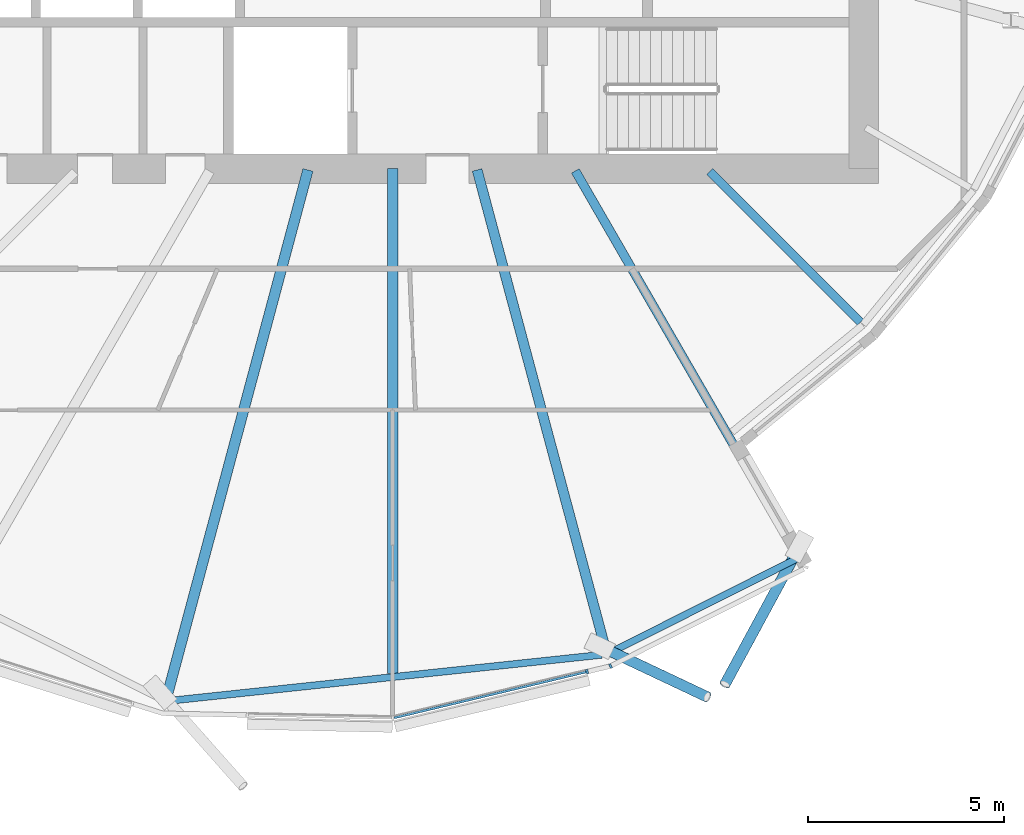
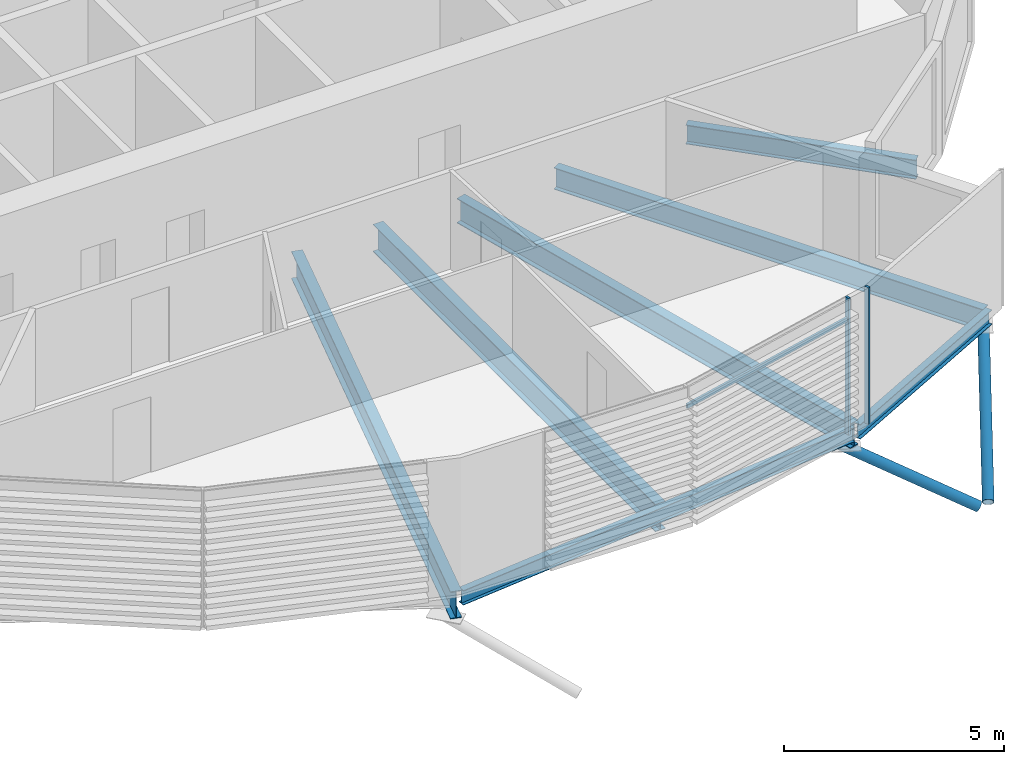
# One storey, part 13 of 39: 7 beams, 5 members, 1 element without a shape of its own.
"""IFC4 building model written with IfcOpenShell, lengths in metres."""

import ifcopenshell
import ifcopenshell.guid

model = None  # the IFC model being written
_history = None  # IfcOwnerHistory: only IFC2X3 demands one
_inside = {}  # id of a spatial element -> (the spatial element, [elements in it])
_under = {}  # id of a project, library or spatial element -> (it, [spatial elements below it])
_declared = {}  # id of a project -> (the project, [libraries it declares])
_typed = {}  # id of a type object -> (the type object, [elements of that type])
_made_of = {}  # id of a material, layer set ... -> (it, [elements and type objects made of it])


def new_model(schema):
    """Start an empty IFC model of exactly this schema.

    Asked for "IFC4X3", IfcOpenShell would pick the latest addendum, in which some entities
    have other attributes; the version numbers below select the first issue.
    IFC2X3 requires an IfcOwnerHistory on every rooted entity: one is made here for all.
    """
    global model, _history
    if schema == "IFC4X3":
        model = ifcopenshell.file(schema_version=(4, 3, 0, 0))
    else:
        model = ifcopenshell.file(schema=schema)
    _inside.clear()
    _under.clear()
    _declared.clear()
    _typed.clear()
    _made_of.clear()
    _history = None
    if model.schema == "IFC2X3":
        org = make("IfcOrganization", Name="unknown")
        user = make(
            "IfcPersonAndOrganization",
            ThePerson=make("IfcPerson", FamilyName="unknown"),
            TheOrganization=org,
        )
        app = make(
            "IfcApplication",
            ApplicationDeveloper=org,
            Version="unknown",
            ApplicationFullName="unknown",
            ApplicationIdentifier="unknown",
        )
        _history = make(
            "IfcOwnerHistory",
            OwningUser=user,
            OwningApplication=app,
            ChangeAction="ADDED",
            CreationDate=0,
        )
    return model


def make(cls, **values):
    """One entity of the class cls with the attributes given. An attribute that is None is left unset."""
    return model.create_entity(
        cls, **{name: value for name, value in values.items() if value is not None}
    )


def rooted(cls, **values):
    """An entity with a GlobalId (a new one), such as an element, a storey or a relation."""
    return make(cls, GlobalId=ifcopenshell.guid.new(), OwnerHistory=_history, **values)


def si_unit(unit_type, name, prefix=None):
    """IfcSIUnit, for example si_unit("LENGTHUNIT", "METRE", prefix="MILLI")."""
    return make("IfcSIUnit", UnitType=unit_type, Prefix=prefix, Name=name)


def assignment(units):
    """IfcUnitAssignment: the units of a project."""
    return None if units is None else make("IfcUnitAssignment", Units=units)


def point(xyz):
    """IfcCartesianPoint."""
    return None if xyz is None else make("IfcCartesianPoint", Coordinates=xyz)


def direction(xyz):
    """IfcDirection."""
    return None if xyz is None else make("IfcDirection", DirectionRatios=xyz)


def frame(location, z_axis=None, x_axis=None):
    """IfcAxis2Placement3D, a coordinate frame: its origin and axes. An axis left out is left unset."""
    return make(
        "IfcAxis2Placement3D",
        Location=point(location),
        Axis=direction(z_axis),
        RefDirection=direction(x_axis),
    )


def frame_2d(location, x_axis=None):
    """IfcAxis2Placement2D, a coordinate frame in the plane: its origin and x axis."""
    return make(
        "IfcAxis2Placement2D", Location=point(location), RefDirection=direction(x_axis)
    )


def origin():
    """The frame at (0, 0, 0) with its axes left unset."""
    return frame((0.0, 0.0, 0.0))


def origin_2d():
    """The frame at (0, 0) in the plane with its x axis left unset."""
    return frame_2d((0.0, 0.0))


def place(relative_to, where):
    """IfcLocalPlacement: puts the frame where relative to a parent placement (None: the world)."""
    return make(
        "IfcLocalPlacement", PlacementRelTo=relative_to, RelativePlacement=where
    )


def context(
    kind, dimensions, precision=None, world=None, true_north=None, identifier=None
):
    """IfcGeometricRepresentationContext, for example the 3D "Model" context."""
    return make(
        "IfcGeometricRepresentationContext",
        ContextIdentifier=identifier,
        ContextType=kind,
        CoordinateSpaceDimension=dimensions,
        Precision=precision,
        WorldCoordinateSystem=world,
        TrueNorth=true_north,
    )


def subcontext(parent, identifier, kind, view, scale=None):
    """IfcGeometricRepresentationSubContext, for example "Body" below "Model"."""
    return make(
        "IfcGeometricRepresentationSubContext",
        ContextIdentifier=identifier,
        ContextType=kind,
        ParentContext=parent,
        TargetScale=scale,
        TargetView=view,
    )


def project(units=None, contexts=None):
    """IfcProject with its units and contexts."""
    return rooted(
        "IfcProject",
        Name="project",
        RepresentationContexts=contexts,
        UnitsInContext=assignment(units),
    )


def spatial(cls, under=None, at=None, **own):
    """A site, building, storey or space (cls), placed at a placement, below another one or the project."""
    s = rooted(cls, ObjectPlacement=at, **own)
    if under is not None:
        _under.setdefault(under.id(), (under, []))[1].append(s)
    return s


def profile(cls, at=None, kind="AREA", **sizes):
    """A parametric profile (cls). Its sizes go by their IFC names, for example OverallWidth=200.0."""
    return make(cls, ProfileType=kind, Position=at, **sizes)


def rectangle(**sizes):
    """IfcRectangleProfileDef."""
    return profile("IfcRectangleProfileDef", **sizes)


def hollow_circle(**sizes):
    """IfcCircleHollowProfileDef."""
    return profile("IfcCircleHollowProfileDef", **sizes)


def i_section(**sizes):
    """IfcIShapeProfileDef."""
    return profile("IfcIShapeProfileDef", **sizes)


def extrude(swept, where, along, depth):
    """IfcExtrudedAreaSolid: the profile swept, set in the frame where, extruded along a direction by depth."""
    return make(
        "IfcExtrudedAreaSolid",
        SweptArea=swept,
        Position=where,
        ExtrudedDirection=direction(along),
        Depth=depth,
    )


def clip(a, b, op="DIFFERENCE"):
    """IfcBooleanClippingResult: the solid a cut by the half space b."""
    return make(
        "IfcBooleanClippingResult", Operator=op, FirstOperand=a, SecondOperand=b
    )


def halfspace(plane, agree):
    """IfcHalfSpaceSolid: all space on one side of the plane z = 0 of the frame plane."""
    return make(
        "IfcHalfSpaceSolid",
        BaseSurface=make("IfcPlane", Position=plane),
        AgreementFlag=agree,
    )


def shape(context_of_items, identifier, shape_type, items):
    """IfcShapeRepresentation: the items that make up one representation, for example the "Body"."""
    return make(
        "IfcShapeRepresentation",
        ContextOfItems=context_of_items,
        RepresentationIdentifier=identifier,
        RepresentationType=shape_type,
        Items=items,
    )


def material(Name=None, Category=None):
    """IfcMaterial."""
    return make("IfcMaterial", Name=Name, Category=Category)


def material_profile(
    of_material, cross_section, Name=None, Category=None, Priority=None
):
    """IfcMaterialProfile: a cross section and its material."""
    return make(
        "IfcMaterialProfile",
        Name=Name,
        Material=of_material,
        Profile=cross_section,
        Priority=Priority,
        Category=Category,
    )


def profile_set(profiles, Name=None, composite=None):
    """IfcMaterialProfileSet."""
    return make(
        "IfcMaterialProfileSet",
        Name=Name,
        MaterialProfiles=profiles,
        CompositeProfile=composite,
    )


def made_of(thing, what):
    """Note that an element or type object is made of a material, layer set ...; save() writes the relation."""
    if what is not None:
        _made_of.setdefault(what.id(), (what, []))[1].append(thing)
    return thing


def type_object(cls, material=None, **own):
    """A type object (cls), such as IfcWallType, which elements share."""
    return made_of(rooted(cls, **own), material)


def element(
    cls,
    number,
    at=None,
    inside=None,
    cuts=None,
    type_object=None,
    material=None,
    context=None,
    identifier="Body",
    shape_type=None,
    held_by="IfcProductDefinitionShape",
    body=None,
    shapes=None,
    **own,
):
    """One element of the class cls, such as IfcWall. Its Tag is "e" and its number.

    at: its placement. inside: the storey or other place that contains it. cuts: it is an
    opening in that element (IfcRelVoidsElement). A single representation is given by context,
    identifier, shape_type and body (its items); several are given by shapes. held_by: the class
    of the entity that holds the representations. save() writes the other relations.
    """
    e = rooted(cls, Tag="e%d" % number, ObjectPlacement=at, **own)
    if body is not None:
        shapes = [shape(context, identifier, shape_type, body)]
    if shapes is not None:
        e.Representation = make(held_by, Representations=shapes)
    if inside is not None:
        _inside.setdefault(inside.id(), (inside, []))[1].append(e)
    if cuts is not None:
        rooted(
            "IfcRelVoidsElement", RelatingBuildingElement=cuts, RelatedOpeningElement=e
        )
    if type_object is not None:
        _typed.setdefault(type_object.id(), (type_object, []))[1].append(e)
    return made_of(e, material)


def aggregate(whole, parts):
    """IfcRelAggregates: a whole, such as a stair, and the parts it consists of."""
    return rooted("IfcRelAggregates", RelatingObject=whole, RelatedObjects=parts)


def save(model, path):
    """Write the relations noted so far, then the file.

    IfcRelAggregates (storeys below a building ...), IfcRelContainedInSpatialStructure (elements
    in a storey), IfcRelDefinesByType, IfcRelAssociatesMaterial and IfcRelDeclares: one each for
    every whole, place, type object, material and project.
    """
    for whole, parts in _under.values():
        aggregate(whole, parts)
    for where, things in _inside.values():
        rooted(
            "IfcRelContainedInSpatialStructure",
            RelatedElements=things,
            RelatingStructure=where,
        )
    for kind, things in _typed.values():
        rooted("IfcRelDefinesByType", RelatedObjects=things, RelatingType=kind)
    for what, things in _made_of.values():
        rooted("IfcRelAssociatesMaterial", RelatedObjects=things, RelatingMaterial=what)
    for by, libraries in _declared.values():
        rooted("IfcRelDeclares", RelatingContext=by, RelatedDefinitions=libraries)
    model.write(path)


model = new_model("IFC4")

# Units and contexts
model_context = context("Model", 3, precision=1e-05, world=origin(), true_north=direction((0.0, 1.0)))
body_context = subcontext(model_context, "Body", "Model", "MODEL_VIEW")
ifc_project = project(units=[si_unit("LENGTHUNIT", "METRE"), si_unit("AREAUNIT", "SQUARE_METRE"), si_unit("VOLUMEUNIT", "CUBIC_METRE"), si_unit("PLANEANGLEUNIT", "RADIAN"), si_unit("MASSUNIT", "GRAM", prefix="KILO")], contexts=[model_context])

# Site, building, storey
site_placement = place(None, origin())
site = spatial("IfcSite", under=ifc_project, at=site_placement, CompositionType="ELEMENT")
building_placement = place(site_placement, origin())
building = spatial("IfcBuilding", under=site, at=building_placement, Name="Rimbun Link Towers", CompositionType="ELEMENT")
storey_placement = place(building_placement, frame((0.0, 0.0, 112.0)))
storey = spatial("IfcBuildingStorey", under=building, at=storey_placement, Name="L27", CompositionType="ELEMENT", Elevation=112.0)

# Curtain wall, members
ifc_material_1 = material(Name="Aluminium 6063-T6 and low-iron glass", Category="aluminium")
curtain_wall_type = type_object("IfcCurtainWallType", Name="CW1-Z2 unitised vision wall (zone 2)", PredefinedType="NOTDEFINED", material=ifc_material_1)
curtain_wall_placement = place(storey_placement, origin())
curtain_wall = element("IfcCurtainWall", 1, at=curtain_wall_placement, inside=storey, type_object=curtain_wall_type, Name="CW1 L27 T2", PredefinedType="NOTDEFINED")
ifc_material_2 = material(Name="Aluminium 6063-T6", Category="aluminium")
ifc_material_profile_1 = material_profile(ifc_material_2, rectangle(XDim=0.1201171875, YDim=0.06005859375, at=origin_2d()), Name="MULLION 60X120")
ifc_profile_set_1 = profile_set([ifc_material_profile_1], Name="Aluminium 6063-T6")
member_type_1 = type_object("IfcMemberType", Name="CW1 mullion 60X120", PredefinedType="MULLION", material=ifc_profile_set_1)
member_1_placement = place(storey_placement, frame((36.70263671875, -20.806884765625, 0.0), z_axis=(0.0, 0.0, 1.0), x_axis=(0.232585526726, -0.972575947038, 0.0)))
member_1 = element("IfcMember", 2, at=member_1_placement, type_object=member_type_1, Name="CW1 mullion", PredefinedType="MULLION", context=body_context, shape_type="SweptSolid", body=[
    extrude(rectangle(XDim=0.1201171875, YDim=0.06005859375, at=origin_2d()), origin(), (0.0, 0.0, 1.0), 3.800048828125),
])
member_2_placement = place(storey_placement, frame((37.299072265625, -20.66259765625, 0.0), z_axis=(0.0, 0.0, 1.0), x_axis=(0.448789312905, -0.893637595797, 0.0)))
member_2 = element("IfcMember", 3, at=member_2_placement, type_object=member_type_1, Name="CW1 mullion", PredefinedType="MULLION", context=body_context, shape_type="SweptSolid", body=[
    extrude(rectangle(XDim=0.1201171875, YDim=0.06005859375, at=origin_2d()), origin(), (0.0, 0.0, 1.0), 3.800048828125),
])
ifc_material_3 = material(Name="Aluminium 6063-T6", Category="aluminium")
ifc_material_profile_2 = material_profile(ifc_material_3, rectangle(XDim=0.06005859375, YDim=0.1201171875, at=origin_2d()), Name="TRANSOM 60X120")
ifc_profile_set_2 = profile_set([ifc_material_profile_2], Name="Aluminium 6063-T6")
member_type_2 = type_object("IfcMemberType", Name="CW1 transom 60X120", PredefinedType="USERDEFINED", material=ifc_profile_set_2)
member_3_placement = place(storey_placement, frame((36.6728515625, -20.81201171875, 3.199951171875), z_axis=(-0.972578652399, -0.232574213741, 0.0), x_axis=(0.232574213741, -0.972578652399, 0.0)))
member_3 = element("IfcMember", 4, at=member_3_placement, type_object=member_type_2, Name="CW1 transom", ObjectType="TRANSOM", PredefinedType="USERDEFINED", context=body_context, shape_type="SweptSolid", body=[
    extrude(rectangle(XDim=0.06005859375, YDim=0.1201171875, at=origin_2d()), origin(), (0.0, 0.0, 1.0), 5.017822265625),
])
aggregate(curtain_wall, [member_1, member_2, member_3])

# Members
ifc_material_4 = material(Name="Steel S355J2H", Category="steel")
ifc_material_profile_3 = material_profile(ifc_material_4, hollow_circle(Radius=0.136474609375, WallThickness=0.012451171875, at=origin_2d()), Name="CHS 273x12.5")
ifc_profile_set_3 = profile_set([ifc_material_profile_3], Name="Steel S355J2H")
member_type_3 = type_object("IfcMemberType", Name="Floor edge link CHS 273x12.5", PredefinedType="BRACE", material=ifc_profile_set_3)
member_4_placement = place(storey_placement, frame((37.16943359375, -20.225341796875, -0.96044921875), z_axis=(0.773987513799, -0.365675995897, -0.516937515091), x_axis=(0.427180039283, 0.904166585336, 0.0)))
element("IfcMember", 5, at=member_4_placement, inside=storey, type_object=member_type_3, Name="Floor edge link T2 L27 16", PredefinedType="BRACE", context=body_context, shape_type="Clipping", body=[
    clip(extrude(hollow_circle(Radius=0.136474609375, WallThickness=0.012451171875, at=origin_2d()), frame((0.0, 0.0, -0.471435546875)), (0.0, 0.0, 1.0), 3.826904296875), halfspace(frame((0.0, 0.0, -0.222412109375), z_axis=(0.0, 0.856023133736, -0.516937515091)), False)),
])
member_5_placement = place(storey_placement, frame((42.018798828125, -17.785888671875, -0.883544921875), z_axis=(-0.419594072582, -0.775217708778, -0.47220580074), x_axis=(0.879441825252, -0.476006382308, 0.0)))
element("IfcMember", 6, at=member_5_placement, inside=storey, type_object=member_type_3, Name="Floor edge link T2 L27 17", PredefinedType="BRACE", context=body_context, shape_type="Clipping", body=[
    clip(extrude(hollow_circle(Radius=0.136474609375, WallThickness=0.012451171875, at=origin_2d()), frame((0.0, 0.0, -0.53076171875)), (0.0, 0.0, 1.0), 4.85107421875), halfspace(frame((0.0, 0.0, -0.251953125), z_axis=(0.0, 0.881488333302, -0.47220580074)), False)),
])

# Beams
ifc_material_5 = material(Name="Steel S355J2", Category="steel")
ifc_material_profile_4 = material_profile(ifc_material_5, i_section(OverallWidth=0.177978515625, OverallDepth=0.406494140625, WebThickness=0.0078125, FlangeThickness=0.0126953125, at=origin_2d()), Name="UB 406x178x60")
ifc_profile_set_4 = profile_set([ifc_material_profile_4], Name="Steel S355J2")
beam_type_1 = type_object("IfcBeamType", Name="UB 406x178x60", PredefinedType="BEAM", material=ifc_profile_set_4)
beam_1_placement = place(storey_placement, frame((26.11669921875, -21.54248046875, -0.36328125), z_axis=(0.994386731761, 0.105806557916, 0.0), x_axis=(-0.105806557916, 0.994386731761, 0.0)))
element("IfcBeam", 7, at=beam_1_placement, inside=storey, type_object=beam_type_1, Name="Edge beam T2 L27 14-16", PredefinedType="BEAM", context=body_context, shape_type="SweptSolid", body=[
    extrude(i_section(OverallWidth=0.177978515625, OverallDepth=0.406494140625, WebThickness=0.0078125, FlangeThickness=0.0126953125, at=origin_2d()), origin(), (0.0, 0.0, 1.0), 11.0224609375),
])
beam_2_placement = place(storey_placement, frame((37.20703125, -20.362060546875, -0.36328125), z_axis=(0.893405979278, 0.44925021557, 0.0), x_axis=(-0.44925021557, 0.893405979278, 0.0)))
element("IfcBeam", 8, at=beam_2_placement, inside=storey, type_object=beam_type_1, Name="Edge beam T2 L27 16", PredefinedType="BEAM", context=body_context, shape_type="SweptSolid", body=[
    extrude(i_section(OverallWidth=0.177978515625, OverallDepth=0.406494140625, WebThickness=0.0078125, FlangeThickness=0.0126953125, at=origin_2d()), origin(), (0.0, 0.0, 1.0), 5.463134765625),
])
ifc_material_6 = material(Name="Steel S355J2", Category="steel")
ifc_material_profile_5 = material_profile(ifc_material_6, i_section(OverallWidth=0.209228515625, OverallDepth=0.533203125, WebThickness=0.010009765625, FlangeThickness=0.015625, at=origin_2d()), Name="UB 533x210x92")
ifc_profile_set_5 = profile_set([ifc_material_profile_5], Name="Steel S355J2")
beam_type_2 = type_object("IfcBeamType", Name="UB 533x210x92", PredefinedType="BEAM", material=ifc_profile_set_5)
beam_3_placement = place(storey_placement, frame((39.82470703125, -8.07470703125, -0.426513671875), z_axis=(0.707106781187, -0.707106781187, 0.0), x_axis=(0.707106781187, 0.707106781187, 0.0)))
element("IfcBeam", 9, at=beam_3_placement, inside=storey, type_object=beam_type_2, Name="Radial beam T2 L27 18", PredefinedType="BEAM", context=body_context, shape_type="SweptSolid", body=[
    extrude(i_section(OverallWidth=0.209228515625, OverallDepth=0.533203125, WebThickness=0.010009765625, FlangeThickness=0.015625, at=origin_2d()), origin(), (0.0, 0.0, 1.0), 5.427490234375),
])
ifc_material_7 = material(Name="Steel S355J2", Category="steel")
ifc_material_profile_6 = material_profile(ifc_material_7, i_section(OverallWidth=0.2275390625, OverallDepth=0.6025390625, WebThickness=0.010498046875, FlangeThickness=0.014892578125, at=origin_2d()), Name="UB 610x229x101")
ifc_profile_set_6 = profile_set([ifc_material_profile_6], Name="Steel S355J2")
beam_type_3 = type_object("IfcBeamType", Name="UB 610x229x101", PredefinedType="BEAM", material=ifc_profile_set_6)
beam_4_placement = place(storey_placement, frame((36.402099609375, -8.057861328125, -0.461181640625), z_axis=(0.500002155527, -0.866024159287, 0.0), x_axis=(0.866024159287, 0.500002155527, 0.0)))
element("IfcBeam", 10, at=beam_4_placement, inside=storey, type_object=beam_type_3, Name="Radial beam T2 L27 17", PredefinedType="BEAM", context=body_context, shape_type="SweptSolid", body=[
    extrude(i_section(OverallWidth=0.2275390625, OverallDepth=0.6025390625, WebThickness=0.010498046875, FlangeThickness=0.014892578125, at=origin_2d()), origin(), (0.0, 0.0, 1.0), 11.283203125),
])
ifc_material_8 = material(Name="Steel S355J2", Category="steel")
ifc_material_profile_7 = material_profile(ifc_material_8, i_section(OverallWidth=0.253662109375, OverallDepth=0.68359375, WebThickness=0.012451171875, FlangeThickness=0.01904296875, at=origin_2d()), Name="UB 686x254x140")
ifc_profile_set_7 = profile_set([ifc_material_profile_7], Name="Steel S355J2")
beam_type_4 = type_object("IfcBeamType", Name="UB 686x254x140", PredefinedType="BEAM", material=ifc_profile_set_7)
beam_5_placement = place(storey_placement, frame((33.902587890625, -8.03369140625, -0.501708984375), z_axis=(0.258825646503, -0.965924057425, 0.0), x_axis=(0.965924057425, 0.258825646503, 0.0)))
element("IfcBeam", 11, at=beam_5_placement, inside=storey, type_object=beam_type_4, Name="Radial beam T2 L27 16", PredefinedType="BEAM", context=body_context, shape_type="SweptSolid", body=[
    extrude(i_section(OverallWidth=0.253662109375, OverallDepth=0.68359375, WebThickness=0.012451171875, FlangeThickness=0.01904296875, at=origin_2d()), origin(), (0.0, 0.0, 1.0), 12.671875),
])
ifc_material_9 = material(Name="Steel S355J2", Category="steel")
ifc_material_profile_8 = material_profile(ifc_material_9, i_section(OverallWidth=0.2666015625, OverallDepth=0.76220703125, WebThickness=0.014404296875, FlangeThickness=0.021484375, at=origin_2d()), Name="UB 762x267x173")
ifc_profile_set_8 = profile_set([ifc_material_profile_8], Name="Steel S355J2")
beam_type_5 = type_object("IfcBeamType", Name="UB 762x267x173", PredefinedType="BEAM", material=ifc_profile_set_8)
beam_6_placement = place(storey_placement, frame((29.596923828125, -8.035400390625, -0.541015625), z_axis=(-0.25881628113, -0.965926566889, 0.0), x_axis=(0.965926566889, -0.25881628113, 0.0)))
element("IfcBeam", 12, at=beam_6_placement, inside=storey, type_object=beam_type_5, Name="Radial beam T2 L27 14", PredefinedType="BEAM", context=body_context, shape_type="SweptSolid", body=[
    extrude(i_section(OverallWidth=0.2666015625, OverallDepth=0.76220703125, WebThickness=0.014404296875, FlangeThickness=0.021484375, at=origin_2d()), origin(), (0.0, 0.0, 1.0), 13.99951171875),
])
beam_7_placement = place(storey_placement, frame((31.75, -8.0009765625, -0.541015625), z_axis=(0.0, -1.0, 0.0), x_axis=(1.0, 0.0, 0.0)))
element("IfcBeam", 13, at=beam_7_placement, inside=storey, type_object=beam_type_5, Name="Radial beam T2 L27 15", PredefinedType="BEAM", context=body_context, shape_type="SweptSolid", body=[
    extrude(i_section(OverallWidth=0.2666015625, OverallDepth=0.76220703125, WebThickness=0.014404296875, FlangeThickness=0.021484375, at=origin_2d()), origin(), (0.0, 0.0, 1.0), 12.8515625),
])

save(model, "model.ifc")
